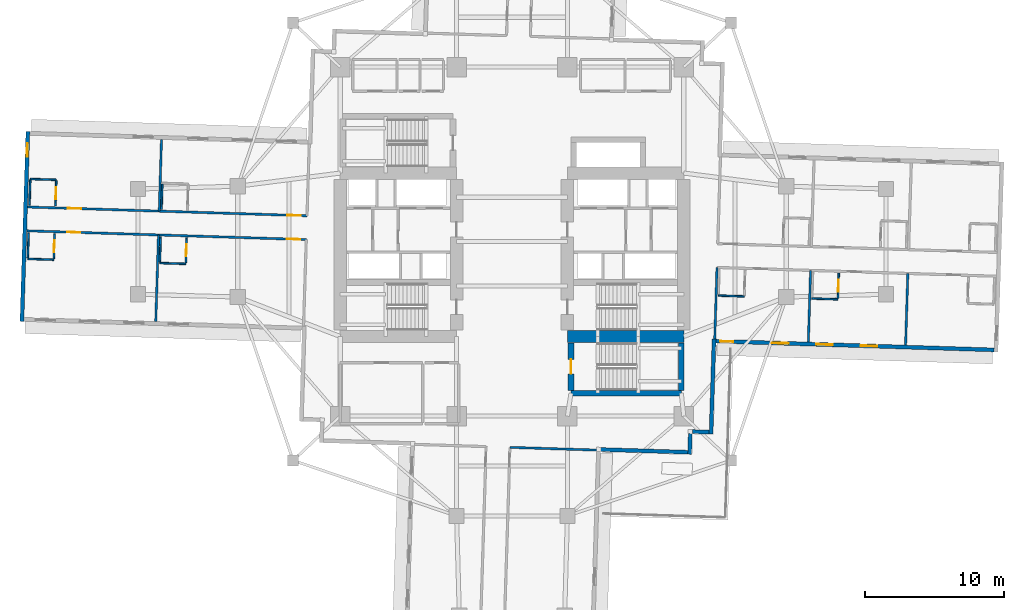
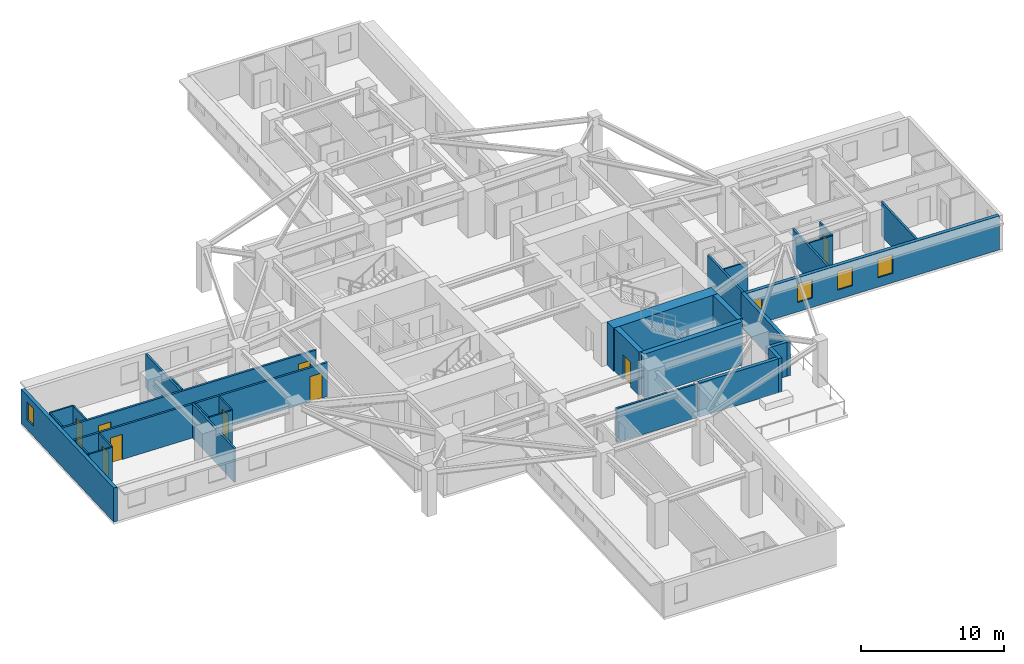
# One storey, part 4 of 13: 31 walls, 10 doors, 4 windows, 14 openings.
"""IFC4 building model written with IfcOpenShell, lengths in metres."""

import ifcopenshell
import ifcopenshell.guid

model = None  # the IFC model being written
_history = None  # IfcOwnerHistory: only IFC2X3 demands one
_inside = {}  # id of a spatial element -> (the spatial element, [elements in it])
_under = {}  # id of a project, library or spatial element -> (it, [spatial elements below it])
_declared = {}  # id of a project -> (the project, [libraries it declares])
_typed = {}  # id of a type object -> (the type object, [elements of that type])
_made_of = {}  # id of a material, layer set ... -> (it, [elements and type objects made of it])


def new_model(schema):
    """Start an empty IFC model of exactly this schema.

    Asked for "IFC4X3", IfcOpenShell would pick the latest addendum, in which some entities
    have other attributes; the version numbers below select the first issue.
    IFC2X3 requires an IfcOwnerHistory on every rooted entity: one is made here for all.
    """
    global model, _history
    if schema == "IFC4X3":
        model = ifcopenshell.file(schema_version=(4, 3, 0, 0))
    else:
        model = ifcopenshell.file(schema=schema)
    _inside.clear()
    _under.clear()
    _declared.clear()
    _typed.clear()
    _made_of.clear()
    _history = None
    if model.schema == "IFC2X3":
        org = make("IfcOrganization", Name="unknown")
        user = make(
            "IfcPersonAndOrganization",
            ThePerson=make("IfcPerson", FamilyName="unknown"),
            TheOrganization=org,
        )
        app = make(
            "IfcApplication",
            ApplicationDeveloper=org,
            Version="unknown",
            ApplicationFullName="unknown",
            ApplicationIdentifier="unknown",
        )
        _history = make(
            "IfcOwnerHistory",
            OwningUser=user,
            OwningApplication=app,
            ChangeAction="ADDED",
            CreationDate=0,
        )
    return model


def make(cls, **values):
    """One entity of the class cls with the attributes given. An attribute that is None is left unset."""
    return model.create_entity(
        cls, **{name: value for name, value in values.items() if value is not None}
    )


def rooted(cls, **values):
    """An entity with a GlobalId (a new one), such as an element, a storey or a relation."""
    return make(cls, GlobalId=ifcopenshell.guid.new(), OwnerHistory=_history, **values)


def si_unit(unit_type, name, prefix=None):
    """IfcSIUnit, for example si_unit("LENGTHUNIT", "METRE", prefix="MILLI")."""
    return make("IfcSIUnit", UnitType=unit_type, Prefix=prefix, Name=name)


def assignment(units):
    """IfcUnitAssignment: the units of a project."""
    return None if units is None else make("IfcUnitAssignment", Units=units)


def point(xyz):
    """IfcCartesianPoint."""
    return None if xyz is None else make("IfcCartesianPoint", Coordinates=xyz)


def direction(xyz):
    """IfcDirection."""
    return None if xyz is None else make("IfcDirection", DirectionRatios=xyz)


def frame(location, z_axis=None, x_axis=None):
    """IfcAxis2Placement3D, a coordinate frame: its origin and axes. An axis left out is left unset."""
    return make(
        "IfcAxis2Placement3D",
        Location=point(location),
        Axis=direction(z_axis),
        RefDirection=direction(x_axis),
    )


def frame_2d(location, x_axis=None):
    """IfcAxis2Placement2D, a coordinate frame in the plane: its origin and x axis."""
    return make(
        "IfcAxis2Placement2D", Location=point(location), RefDirection=direction(x_axis)
    )


def origin():
    """The frame at (0, 0, 0) with its axes left unset."""
    return frame((0.0, 0.0, 0.0))


def place(relative_to, where):
    """IfcLocalPlacement: puts the frame where relative to a parent placement (None: the world)."""
    return make(
        "IfcLocalPlacement", PlacementRelTo=relative_to, RelativePlacement=where
    )


def context(
    kind, dimensions, precision=None, world=None, true_north=None, identifier=None
):
    """IfcGeometricRepresentationContext, for example the 3D "Model" context."""
    return make(
        "IfcGeometricRepresentationContext",
        ContextIdentifier=identifier,
        ContextType=kind,
        CoordinateSpaceDimension=dimensions,
        Precision=precision,
        WorldCoordinateSystem=world,
        TrueNorth=true_north,
    )


def subcontext(parent, identifier, kind, view, scale=None):
    """IfcGeometricRepresentationSubContext, for example "Body" below "Model"."""
    return make(
        "IfcGeometricRepresentationSubContext",
        ContextIdentifier=identifier,
        ContextType=kind,
        ParentContext=parent,
        TargetScale=scale,
        TargetView=view,
    )


def project(units=None, contexts=None):
    """IfcProject with its units and contexts."""
    return rooted(
        "IfcProject",
        Name="project",
        RepresentationContexts=contexts,
        UnitsInContext=assignment(units),
    )


def spatial(cls, under=None, at=None, **own):
    """A site, building, storey or space (cls), placed at a placement, below another one or the project."""
    s = rooted(cls, ObjectPlacement=at, **own)
    if under is not None:
        _under.setdefault(under.id(), (under, []))[1].append(s)
    return s


def profile(cls, at=None, kind="AREA", **sizes):
    """A parametric profile (cls). Its sizes go by their IFC names, for example OverallWidth=200.0."""
    return make(cls, ProfileType=kind, Position=at, **sizes)


def rectangle(**sizes):
    """IfcRectangleProfileDef."""
    return profile("IfcRectangleProfileDef", **sizes)


def extrude(swept, where, along, depth):
    """IfcExtrudedAreaSolid: the profile swept, set in the frame where, extruded along a direction by depth."""
    return make(
        "IfcExtrudedAreaSolid",
        SweptArea=swept,
        Position=where,
        ExtrudedDirection=direction(along),
        Depth=depth,
    )


def shape(context_of_items, identifier, shape_type, items):
    """IfcShapeRepresentation: the items that make up one representation, for example the "Body"."""
    return make(
        "IfcShapeRepresentation",
        ContextOfItems=context_of_items,
        RepresentationIdentifier=identifier,
        RepresentationType=shape_type,
        Items=items,
    )


def material(Name=None, Category=None):
    """IfcMaterial."""
    return make("IfcMaterial", Name=Name, Category=Category)


def layer(
    of_material, thickness, ventilated=None, Name=None, Category=None, Priority=None
):
    """IfcMaterialLayer: one layer of a wall or slab, of a material (None: an air gap)."""
    return make(
        "IfcMaterialLayer",
        Material=of_material,
        LayerThickness=thickness,
        IsVentilated=ventilated,
        Name=Name,
        Category=Category,
        Priority=Priority,
    )


def layer_set(layers, Name=None):
    """IfcMaterialLayerSet."""
    return make("IfcMaterialLayerSet", MaterialLayers=layers, LayerSetName=Name)


def made_of(thing, what):
    """Note that an element or type object is made of a material, layer set ...; save() writes the relation."""
    if what is not None:
        _made_of.setdefault(what.id(), (what, []))[1].append(thing)
    return thing


def type_object(cls, material=None, **own):
    """A type object (cls), such as IfcWallType, which elements share."""
    return made_of(rooted(cls, **own), material)


def element(
    cls,
    number,
    at=None,
    inside=None,
    cuts=None,
    type_object=None,
    material=None,
    context=None,
    identifier="Body",
    shape_type=None,
    held_by="IfcProductDefinitionShape",
    body=None,
    shapes=None,
    **own,
):
    """One element of the class cls, such as IfcWall. Its Tag is "e" and its number.

    at: its placement. inside: the storey or other place that contains it. cuts: it is an
    opening in that element (IfcRelVoidsElement). A single representation is given by context,
    identifier, shape_type and body (its items); several are given by shapes. held_by: the class
    of the entity that holds the representations. save() writes the other relations.
    """
    e = rooted(cls, Tag="e%d" % number, ObjectPlacement=at, **own)
    if body is not None:
        shapes = [shape(context, identifier, shape_type, body)]
    if shapes is not None:
        e.Representation = make(held_by, Representations=shapes)
    if inside is not None:
        _inside.setdefault(inside.id(), (inside, []))[1].append(e)
    if cuts is not None:
        rooted(
            "IfcRelVoidsElement", RelatingBuildingElement=cuts, RelatedOpeningElement=e
        )
    if type_object is not None:
        _typed.setdefault(type_object.id(), (type_object, []))[1].append(e)
    return made_of(e, material)


def fill(opening, filler):
    """IfcRelFillsElement: the door or window that sits in an opening."""
    return rooted(
        "IfcRelFillsElement",
        RelatingOpeningElement=opening,
        RelatedBuildingElement=filler,
    )


def aggregate(whole, parts):
    """IfcRelAggregates: a whole, such as a stair, and the parts it consists of."""
    return rooted("IfcRelAggregates", RelatingObject=whole, RelatedObjects=parts)


def save(model, path):
    """Write the relations noted so far, then the file.

    IfcRelAggregates (storeys below a building ...), IfcRelContainedInSpatialStructure (elements
    in a storey), IfcRelDefinesByType, IfcRelAssociatesMaterial and IfcRelDeclares: one each for
    every whole, place, type object, material and project.
    """
    for whole, parts in _under.values():
        aggregate(whole, parts)
    for where, things in _inside.values():
        rooted(
            "IfcRelContainedInSpatialStructure",
            RelatedElements=things,
            RelatingStructure=where,
        )
    for kind, things in _typed.values():
        rooted("IfcRelDefinesByType", RelatedObjects=things, RelatingType=kind)
    for what, things in _made_of.values():
        rooted("IfcRelAssociatesMaterial", RelatedObjects=things, RelatingMaterial=what)
    for by, libraries in _declared.values():
        rooted("IfcRelDeclares", RelatingContext=by, RelatedDefinitions=libraries)
    model.write(path)


model = new_model("IFC4")

# Units and contexts
model_context = context("Model", 3, precision=1e-05, world=origin(), true_north=direction((0.0, 1.0)))
body_context = subcontext(model_context, "Body", "Model", "MODEL_VIEW")
ifc_project = project(units=[si_unit("LENGTHUNIT", "METRE"), si_unit("AREAUNIT", "SQUARE_METRE"), si_unit("VOLUMEUNIT", "CUBIC_METRE"), si_unit("PLANEANGLEUNIT", "RADIAN"), si_unit("MASSUNIT", "GRAM", prefix="KILO")], contexts=[model_context])

# Site, building, storey
site_placement = place(None, origin())
site = spatial("IfcSite", under=ifc_project, at=site_placement, CompositionType="ELEMENT")
building_placement = place(site_placement, origin())
building = spatial("IfcBuilding", under=site, at=building_placement, Name="Qingluan Cross Belvedere", CompositionType="ELEMENT")
storey_placement = place(building_placement, frame((0.0, 0.0, 71.699951171875)))
storey = spatial("IfcBuildingStorey", under=building, at=storey_placement, Name="L18", CompositionType="ELEMENT", Elevation=71.699951171875)

# Wall
ifc_material_1 = material(Name="Concrete C50", Category="concrete")
ifc_layer_1 = layer(ifc_material_1, 0.449951171875, Name="CoreShearWall_450")
ifc_layer_set_1 = layer_set([ifc_layer_1], Name="Concrete C50")
wall_type_1 = type_object("IfcWallType", Name="CoreShearWall_450", PredefinedType="SHEAR", material=ifc_layer_set_1)
wall_1_placement = place(storey_placement, frame((4.260009765625, -10.93994140625, 0.0), z_axis=(0.0, 0.0, 1.0), x_axis=(1.0, 0.0, 0.0)))
element("IfcWall", 1, at=wall_1_placement, inside=storey, type_object=wall_type_1, Name="Stair ST4 structural wall S L18", PredefinedType="SHEAR", context=body_context, shape_type="SweptSolid", body=[
    extrude(rectangle(XDim=7.9599609375, YDim=0.39990234375, at=frame_2d((3.97998046875, 0.0))), origin(), (0.0, 0.0, 1.0), 3.699951171875),
])

# Wall, opening, door
wall_2_placement = place(storey_placement, frame((4.260009765625, -10.735107421875, 0.0), z_axis=(0.0, 0.0, 1.0), x_axis=(0.0, 1.0, 0.0)))
wall_2 = element("IfcWall", 2, at=wall_2_placement, inside=storey, type_object=wall_type_1, Name="Stair ST4 structural wall W L18", PredefinedType="SHEAR", context=body_context, shape_type="SweptSolid", body=[
    extrude(rectangle(XDim=3.43017578125, YDim=0.39990234375, at=frame_2d((1.715087890625, 0.0))), origin(), (0.0, 0.0, 1.0), 3.699951171875),
])
opening_1_placement = place(wall_2_placement, frame((1.18505859375, 0.0, 0.0)))
opening_1 = element("IfcOpeningElement", 3, at=opening_1_placement, cuts=wall_2, Name="Opening FD-B11", PredefinedType="OPENING", context=body_context, shape_type="SweptSolid", body=[
    extrude(rectangle(XDim=1.050048828125, YDim=2.14990234375, at=frame_2d((0.52490234375, 1.074951171875))), frame((0.0, 0.2099609375, 0.0), z_axis=(0.0, -1.0, 0.0), x_axis=(1.0, 0.0, 0.0)), (0.0, 0.0, 1.0), 0.419921875),
])
ifc_material_2 = material(Name="Steel Class B smoke-seal fire door", Category="steel")
door_type_1 = type_object("IfcDoorType", Name="StairLobbyFireDoor_FDB", OperationType="NOTDEFINED", PredefinedType="DOOR", material=ifc_material_2)
door_1_placement = place(opening_1_placement, origin())
door_1 = element("IfcDoor", 4, at=door_1_placement, inside=storey, type_object=door_type_1, Name="Smoke-proof stair ST4 fire door L18", OperationType="SINGLE_SWING_LEFT", OverallHeight=2.14990234375, OverallWidth=1.050048828125, PredefinedType="DOOR", context=body_context, shape_type="SweptSolid", body=[
    extrude(rectangle(XDim=1.050048828125, YDim=2.14990234375, at=frame_2d((0.52490234375, 1.074951171875))), frame((0.0, 0.02490234375, 0.0), z_axis=(0.0, -1.0, 0.0), x_axis=(1.0, 0.0, 0.0)), (0.0, 0.0, 1.0), 0.050048828125),
])
fill(opening_1, door_1)

# Walls
wall_3_placement = place(storey_placement, frame((12.219970703125, -10.735107421875, 0.0), z_axis=(0.0, 0.0, 1.0), x_axis=(0.0, 1.0, 0.0)))
element("IfcWall", 5, at=wall_3_placement, inside=storey, type_object=wall_type_1, Name="Stair ST4 structural wall E L18", PredefinedType="SHEAR", context=body_context, shape_type="SweptSolid", body=[
    extrude(rectangle(XDim=3.43017578125, YDim=0.39990234375, at=frame_2d((1.715087890625, 0.0))), origin(), (0.0, 0.0, 1.0), 3.699951171875),
])
ifc_material_3 = material(Name="Concrete C70", Category="concrete")
ifc_layer_2 = layer(ifc_material_3, 0.89990234375, Name="CoreShearWall_900")
ifc_layer_set_2 = layer_set([ifc_layer_2], Name="Concrete C70")
wall_type_2 = type_object("IfcWallType", Name="CoreShearWall_900", PredefinedType="SHEAR", material=ifc_layer_set_2)
wall_4_placement = place(storey_placement, frame((4.0, -6.85009765625, 0.0), z_axis=(0.0, 0.0, 1.0), x_axis=(1.0, 0.0, 0.0)))
element("IfcWall", 6, at=wall_4_placement, inside=storey, type_object=wall_type_2, Name="Split core E shear wall L18-S", PredefinedType="SHEAR", context=body_context, shape_type="SweptSolid", body=[
    extrude(rectangle(XDim=8.39990234375, YDim=0.89990234375, at=frame_2d((4.199951171875, 0.0))), origin(), (0.0, 0.0, 1.0), 3.699951171875),
])
ifc_material_4 = material(Name="Gypsum plasterboard on steel stud acoustic partition", Category="steel")
ifc_layer_3 = layer(ifc_material_4, 0.159912109375, Name="CorridorPartition_160")
ifc_layer_set_3 = layer_set([ifc_layer_3], Name="Gypsum plasterboard on steel stud acoustic partition")
wall_type_3 = type_object("IfcWallType", Name="CorridorPartition_160", PredefinedType="PARTITIONING", material=ifc_layer_set_3)
for number, where, z_axis, x_axis, name in (
    (7, (14.798583984375, -1.86572265625, 0.0), (0.0, 0.0, 1.0), (-0.031390964211, -0.999507182248, 0.0), "Partition L18:E:s1"),
    (8, (21.555419921875, -2.078125, 0.0), (0.0, 0.0, 1.0), (-0.031390964211, -0.999507182248, 0.0), "Partition L18:E:d1_0"),
):
    element("IfcWall", number, at=place(storey_placement, frame(where, z_axis=z_axis, x_axis=x_axis)), inside=storey, type_object=wall_type_3, Name=name, PredefinedType="PARTITIONING", context=body_context, shape_type="SweptSolid", body=[
        extrude(rectangle(XDim=5.171875, YDim=0.159912109375, at=frame_2d((2.5859375, 0.0))), origin(), (0.0, 0.0, 1.0), 2.900146484375),
    ])
wall_5_placement = place(storey_placement, frame((28.575927734375, -2.298583984375, 0.0), z_axis=(0.0, 0.0, 1.0), x_axis=(-0.031436638834, -0.999505746726, 0.0)))
element("IfcWall", 9, at=wall_5_placement, inside=storey, type_object=wall_type_3, Name="Partition L18:E:d1_1", PredefinedType="PARTITIONING", context=body_context, shape_type="SweptSolid", body=[
    extrude(rectangle(XDim=5.172119140625, YDim=0.159912109375, at=frame_2d((2.5859375, 0.0))), origin(), (0.0, 0.0, 1.0), 2.900146484375),
])

# Wall, openings, doors
wall_6_placement = place(storey_placement, frame((-14.798583984375, 1.86572265625, 0.0), z_axis=(0.0, 0.0, 1.0), x_axis=(-0.999506406629, 0.031415650687, 0.0)))
wall_6 = element("IfcWall", 10, at=wall_6_placement, inside=storey, type_object=wall_type_3, Name="Partition L18:W:c0", PredefinedType="PARTITIONING", context=body_context, shape_type="SweptSolid", body=[
    extrude(rectangle(XDim=20.18212890625, YDim=0.159912109375, at=frame_2d((10.091064453125, 0.0))), origin(), (0.0, 0.0, 1.0), 2.900146484375),
])
opening_2_placement = place(wall_6_placement, frame((0.449951171875, 0.0, 0.0)))
opening_2 = element("IfcOpeningElement", 11, at=opening_2_placement, cuts=wall_6, Name="Opening GD-10", PredefinedType="OPENING", context=body_context, shape_type="SweptSolid", body=[
    extrude(rectangle(XDim=0.9599609375, YDim=2.14990234375, at=frame_2d((0.47998046875, 1.074951171875))), frame((0.0, 0.08984375, 0.0), z_axis=(0.0, -1.0, 0.0), x_axis=(1.0, 0.0, 0.0)), (0.0, 0.0, 1.0), 0.179931640625),
])
opening_3_placement = place(wall_6_placement, frame((16.31591796875, 0.0, 0.0)))
opening_3 = element("IfcOpeningElement", 12, at=opening_3_placement, cuts=wall_6, Name="Opening GD-10", PredefinedType="OPENING", context=body_context, shape_type="SweptSolid", body=[
    extrude(rectangle(XDim=0.9599609375, YDim=2.14990234375, at=frame_2d((0.47998046875, 1.074951171875))), frame((0.0, 0.08984375, 0.0), z_axis=(0.0, -1.0, 0.0), x_axis=(1.0, 0.0, 0.0)), (0.0, 0.0, 1.0), 0.179931640625),
])
ifc_material_5 = material(Name="Timber oak fire-rated acoustic guestroom door", Category="wood")
door_type_2 = type_object("IfcDoorType", Name="GuestEntryDoor_FD60", OperationType="NOTDEFINED", PredefinedType="DOOR", material=ifc_material_5)
door_2_placement = place(opening_2_placement, origin())
door_2 = element("IfcDoor", 13, at=door_2_placement, inside=storey, type_object=door_type_2, Name="Guest entry fire door 1807", OperationType="SINGLE_SWING_LEFT", OverallHeight=2.14990234375, OverallWidth=0.9599609375, PredefinedType="DOOR", context=body_context, shape_type="SweptSolid", body=[
    extrude(rectangle(XDim=0.9599609375, YDim=2.14990234375, at=frame_2d((0.47998046875, 1.074951171875))), frame((0.0, 0.02490234375, 0.0), z_axis=(0.0, -1.0, 0.0), x_axis=(1.0, 0.0, 0.0)), (0.0, 0.0, 1.0), 0.050048828125),
])
fill(opening_2, door_2)
door_3_placement = place(opening_3_placement, origin())
door_3 = element("IfcDoor", 14, at=door_3_placement, inside=storey, type_object=door_type_2, Name="Guest entry fire door 1808", OperationType="SINGLE_SWING_LEFT", OverallHeight=2.14990234375, OverallWidth=0.9599609375, PredefinedType="DOOR", context=body_context, shape_type="SweptSolid", body=[
    extrude(rectangle(XDim=0.9599609375, YDim=2.14990234375, at=frame_2d((0.47998046875, 1.074951171875))), frame((0.0, 0.02490234375, 0.0), z_axis=(0.0, -1.0, 0.0), x_axis=(1.0, 0.0, 0.0)), (0.0, 0.0, 1.0), 0.050048828125),
])
fill(opening_3, door_3)

# Wall
wall_7_placement = place(storey_placement, frame((-25.46630859375, 2.200927734375, 0.0), z_axis=(0.0, 0.0, 1.0), x_axis=(0.031390964211, 0.999507182248, 0.0)))
element("IfcWall", 15, at=wall_7_placement, inside=storey, type_object=wall_type_3, Name="Partition L18:W:d0_0", PredefinedType="PARTITIONING", context=body_context, shape_type="SweptSolid", body=[
    extrude(rectangle(XDim=5.171875, YDim=0.159912109375, at=frame_2d((2.5859375, 0.0))), origin(), (0.0, 0.0, 1.0), 2.900146484375),
])

# Wall, openings, doors
wall_8_placement = place(storey_placement, frame((-14.852783203125, 0.146484375, 0.0), z_axis=(0.0, 0.0, 1.0), x_axis=(-0.999506406629, 0.031415650687, 0.0)))
wall_8 = element("IfcWall", 16, at=wall_8_placement, inside=storey, type_object=wall_type_3, Name="Partition L18:W:c1", PredefinedType="PARTITIONING", context=body_context, shape_type="SweptSolid", body=[
    extrude(rectangle(XDim=20.18212890625, YDim=0.159912109375, at=frame_2d((10.091064453125, 0.0))), origin(), (0.0, 0.0, 1.0), 2.900146484375),
])
opening_4_placement = place(wall_8_placement, frame((0.449951171875, 0.0, 0.0)))
opening_4 = element("IfcOpeningElement", 17, at=opening_4_placement, cuts=wall_8, Name="Opening GD-10", PredefinedType="OPENING", context=body_context, shape_type="SweptSolid", body=[
    extrude(rectangle(XDim=0.9599609375, YDim=2.14990234375, at=frame_2d((0.47998046875, 1.074951171875))), frame((0.0, 0.08984375, 0.0), z_axis=(0.0, -1.0, 0.0), x_axis=(1.0, 0.0, 0.0)), (0.0, 0.0, 1.0), 0.179931640625),
])
opening_5_placement = place(wall_8_placement, frame((16.31591796875, 0.0, 0.0)))
opening_5 = element("IfcOpeningElement", 18, at=opening_5_placement, cuts=wall_8, Name="Opening GD-10", PredefinedType="OPENING", context=body_context, shape_type="SweptSolid", body=[
    extrude(rectangle(XDim=0.9599609375, YDim=2.14990234375, at=frame_2d((0.47998046875, 1.074951171875))), frame((0.0, 0.08984375, 0.0), z_axis=(0.0, -1.0, 0.0), x_axis=(1.0, 0.0, 0.0)), (0.0, 0.0, 1.0), 0.179931640625),
])
door_4_placement = place(opening_4_placement, origin())
door_4 = element("IfcDoor", 19, at=door_4_placement, inside=storey, type_object=door_type_2, Name="Guest entry fire door 1809", OperationType="SINGLE_SWING_LEFT", OverallHeight=2.14990234375, OverallWidth=0.9599609375, PredefinedType="DOOR", context=body_context, shape_type="SweptSolid", body=[
    extrude(rectangle(XDim=0.9599609375, YDim=2.14990234375, at=frame_2d((0.47998046875, 1.074951171875))), frame((0.0, 0.02490234375, 0.0), z_axis=(0.0, -1.0, 0.0), x_axis=(1.0, 0.0, 0.0)), (0.0, 0.0, 1.0), 0.050048828125),
])
fill(opening_4, door_4)
door_5_placement = place(opening_5_placement, origin())
door_5 = element("IfcDoor", 20, at=door_5_placement, inside=storey, type_object=door_type_2, Name="Guest entry fire door 1810", OperationType="SINGLE_SWING_LEFT", OverallHeight=2.14990234375, OverallWidth=0.9599609375, PredefinedType="DOOR", context=body_context, shape_type="SweptSolid", body=[
    extrude(rectangle(XDim=0.9599609375, YDim=2.14990234375, at=frame_2d((0.47998046875, 1.074951171875))), frame((0.0, 0.02490234375, 0.0), z_axis=(0.0, -1.0, 0.0), x_axis=(1.0, 0.0, 0.0)), (0.0, 0.0, 1.0), 0.050048828125),
])
fill(opening_5, door_5)

# Walls
wall_9_placement = place(storey_placement, frame((-25.5205078125, 0.48193359375, 0.0), z_axis=(0.0, 0.0, 1.0), x_axis=(-0.031395673371, -0.999507034339, 0.0)))
element("IfcWall", 21, at=wall_9_placement, inside=storey, type_object=wall_type_3, Name="Partition L18:W:d1_0", PredefinedType="PARTITIONING", context=body_context, shape_type="SweptSolid", body=[
    extrude(rectangle(XDim=6.252197265625, YDim=0.159912109375, at=frame_2d((3.1259765625, 0.0))), origin(), (0.0, 0.0, 1.0), 2.900146484375),
])
wall_10_placement = place(storey_placement, frame((-0.146484375, -14.852783203125, 0.0), z_axis=(0.0, 0.0, 1.0), x_axis=(0.999507038829, -0.031395530436, 0.0)))
element("IfcWall", 22, at=wall_10_placement, inside=storey, type_object=wall_type_3, Name="Partition L18:S:s0", PredefinedType="PARTITIONING", context=body_context, shape_type="SweptSolid", body=[
    extrude(rectangle(XDim=6.39990234375, YDim=0.159912109375, at=frame_2d((3.199951171875, 0.0))), origin(), (0.0, 0.0, 1.0), 2.900146484375),
])
ifc_material_6 = material(Name="Moisture-resistant gypsum board lining")
ifc_layer_4 = layer(ifc_material_6, 0.1201171875, Name="EnsuiteWetPartition_120")
ifc_layer_set_4 = layer_set([ifc_layer_4], Name="Moisture-resistant gypsum board lining")
wall_type_4 = type_object("IfcWallType", Name="EnsuiteWetPartition_120", PredefinedType="PARTITIONING", material=ifc_layer_set_4)
wall_11_placement = place(storey_placement, frame((14.89501953125, -3.894775390625, 0.0), z_axis=(0.0, 0.0, 1.0), x_axis=(0.999506103526, -0.031425292588, 0.0)))
element("IfcWall", 23, at=wall_11_placement, inside=storey, type_object=wall_type_4, Name="Partition L18:E:bc1_0", PredefinedType="PARTITIONING", context=body_context, shape_type="SweptSolid", body=[
    extrude(rectangle(XDim=1.880126953125, YDim=0.1201171875, at=frame_2d((0.93994140625, 0.0))), origin(), (0.0, 0.0, 1.0), 2.900146484375),
])

# Wall, opening, door
wall_12_placement = place(storey_placement, frame((23.53271484375, -4.101318359375, 0.0), z_axis=(0.0, 0.0, 1.0), x_axis=(0.031519489708, 0.999503137448, 0.0)))
wall_12 = element("IfcWall", 24, at=wall_12_placement, inside=storey, type_object=wall_type_4, Name="Partition L18:E:bs1_1", PredefinedType="PARTITIONING", context=body_context, shape_type="SweptSolid", body=[
    extrude(rectangle(XDim=1.8203125, YDim=0.1201171875, at=frame_2d((0.91015625, 0.0))), origin(), (0.0, 0.0, 1.0), 2.900146484375),
])
opening_6_placement = place(wall_12_placement, frame((0.469970703125, 0.0, 0.0)))
opening_6 = element("IfcOpeningElement", 25, at=opening_6_placement, cuts=wall_12, Name="Opening BD-09", PredefinedType="OPENING", context=body_context, shape_type="SweptSolid", body=[
    extrude(rectangle(XDim=0.8798828125, YDim=2.10009765625, at=frame_2d((0.43994140625, 1.050048828125))), frame((0.0, 0.070068359375, 0.0), z_axis=(0.0, -1.0, 0.0), x_axis=(1.0, 0.0, 0.0)), (0.0, 0.0, 1.0), 0.14013671875),
])
ifc_material_7 = material(Name="Moisture-sealed timber en-suite door", Category="wood")
door_type_3 = type_object("IfcDoorType", Name="BathroomDoor_880", OperationType="NOTDEFINED", PredefinedType="DOOR", material=ifc_material_7)
door_6_placement = place(opening_6_placement, origin())
door_6 = element("IfcDoor", 26, at=door_6_placement, inside=storey, type_object=door_type_3, Name="Bathroom door 1805", OperationType="SINGLE_SWING_RIGHT", OverallHeight=2.10009765625, OverallWidth=0.8798828125, PredefinedType="DOOR", context=body_context, shape_type="SweptSolid", body=[
    extrude(rectangle(XDim=0.8798828125, YDim=2.10009765625, at=frame_2d((0.43994140625, 1.050048828125))), frame((0.0, 0.02490234375, 0.0), z_axis=(0.0, -1.0, 0.0), x_axis=(1.0, 0.0, 0.0)), (0.0, 0.0, 1.0), 0.050048828125),
])
fill(opening_6, door_6)

# Walls
wall_13_placement = place(storey_placement, frame((21.651611328125, -4.107177734375, 0.0), z_axis=(0.0, 0.0, 1.0), x_axis=(0.999506103526, -0.031425292588, 0.0)))
element("IfcWall", 27, at=wall_13_placement, inside=storey, type_object=wall_type_4, Name="Partition L18:E:bc1_1", PredefinedType="PARTITIONING", context=body_context, shape_type="SweptSolid", body=[
    extrude(rectangle(XDim=1.880126953125, YDim=0.1201171875, at=frame_2d((0.93994140625, 0.0))), origin(), (0.0, 0.0, 1.0), 2.900146484375),
])
wall_14_placement = place(storey_placement, frame((-25.302001953125, 2.3359375, 0.0), z_axis=(0.0, 0.0, 1.0), x_axis=(0.031389704724, 0.999507221803, 0.0)))
element("IfcWall", 28, at=wall_14_placement, inside=storey, type_object=wall_type_4, Name="Partition L18:W:bw0_0", PredefinedType="PARTITIONING", context=body_context, shape_type="SweptSolid", body=[
    extrude(rectangle(XDim=1.820068359375, YDim=0.1201171875, at=frame_2d((0.91015625, 0.0))), origin(), (0.0, 0.0, 1.0), 2.900146484375),
])

# Wall, opening, door
wall_15_placement = place(storey_placement, frame((-32.955322265625, 2.576416015625, 0.0), z_axis=(0.0, 0.0, 1.0), x_axis=(0.031389704724, 0.999507221803, 0.0)))
wall_15 = element("IfcWall", 29, at=wall_15_placement, inside=storey, type_object=wall_type_4, Name="Partition L18:W:bs0_1", PredefinedType="PARTITIONING", context=body_context, shape_type="SweptSolid", body=[
    extrude(rectangle(XDim=1.820068359375, YDim=0.1201171875, at=frame_2d((0.91015625, 0.0))), origin(), (0.0, 0.0, 1.0), 2.900146484375),
])
opening_7_placement = place(wall_15_placement, frame((0.469970703125, 0.0, 0.0)))
opening_7 = element("IfcOpeningElement", 30, at=opening_7_placement, cuts=wall_15, Name="Opening BD-09", PredefinedType="OPENING", context=body_context, shape_type="SweptSolid", body=[
    extrude(rectangle(XDim=0.8798828125, YDim=2.10009765625, at=frame_2d((0.43994140625, 1.050048828125))), frame((0.0, 0.070068359375, 0.0), z_axis=(0.0, -1.0, 0.0), x_axis=(1.0, 0.0, 0.0)), (0.0, 0.0, 1.0), 0.14013671875),
])
door_7_placement = place(opening_7_placement, origin())
door_7 = element("IfcDoor", 31, at=door_7_placement, inside=storey, type_object=door_type_3, Name="Bathroom door 1808", OperationType="SINGLE_SWING_RIGHT", OverallHeight=2.10009765625, OverallWidth=0.8798828125, PredefinedType="DOOR", context=body_context, shape_type="SweptSolid", body=[
    extrude(rectangle(XDim=0.8798828125, YDim=2.10009765625, at=frame_2d((0.43994140625, 1.050048828125))), frame((0.0, 0.02490234375, 0.0), z_axis=(0.0, -1.0, 0.0), x_axis=(1.0, 0.0, 0.0)), (0.0, 0.0, 1.0), 0.050048828125),
])
fill(opening_7, door_7)

# Walls
wall_16_placement = place(storey_placement, frame((-34.83447265625, 2.635498046875, 0.0), z_axis=(0.0, 0.0, 1.0), x_axis=(0.03152371574, 0.999503004171, 0.0)))
element("IfcWall", 32, at=wall_16_placement, inside=storey, type_object=wall_type_4, Name="Partition L18:W:bw0_1", PredefinedType="PARTITIONING", context=body_context, shape_type="SweptSolid", body=[
    extrude(rectangle(XDim=1.820068359375, YDim=0.1201171875, at=frame_2d((0.91015625, 0.0))), origin(), (0.0, 0.0, 1.0), 2.900146484375),
])
wall_17_placement = place(storey_placement, frame((-32.89599609375, 4.46044921875, 0.0), z_axis=(0.0, 0.0, 1.0), x_axis=(-0.999506103526, 0.031425292588, 0.0)))
element("IfcWall", 33, at=wall_17_placement, inside=storey, type_object=wall_type_4, Name="Partition L18:W:bn0_1", PredefinedType="PARTITIONING", context=body_context, shape_type="SweptSolid", body=[
    extrude(rectangle(XDim=1.880126953125, YDim=0.1201171875, at=frame_2d((0.93994140625, 0.0))), origin(), (0.0, 0.0, 1.0), 2.900146484375),
])

# Wall, opening, door
wall_18_placement = place(storey_placement, frame((-23.54296875, -1.541259765625, 0.0), z_axis=(0.0, 0.0, 1.0), x_axis=(0.031389704724, 0.999507221803, 0.0)))
wall_18 = element("IfcWall", 34, at=wall_18_placement, inside=storey, type_object=wall_type_4, Name="Partition L18:W:bs1_0", PredefinedType="PARTITIONING", context=body_context, shape_type="SweptSolid", body=[
    extrude(rectangle(XDim=1.820068359375, YDim=0.1201171875, at=frame_2d((0.91015625, 0.0))), origin(), (0.0, 0.0, 1.0), 2.900146484375),
])
opening_8_placement = place(wall_18_placement, frame((0.469970703125, 0.0, 0.0)))
opening_8 = element("IfcOpeningElement", 35, at=opening_8_placement, cuts=wall_18, Name="Opening BD-09", PredefinedType="OPENING", context=body_context, shape_type="SweptSolid", body=[
    extrude(rectangle(XDim=0.8798828125, YDim=2.10009765625, at=frame_2d((0.43994140625, 1.050048828125))), frame((0.0, 0.070068359375, 0.0), z_axis=(0.0, -1.0, 0.0), x_axis=(1.0, 0.0, 0.0)), (0.0, 0.0, 1.0), 0.14013671875),
])
door_8_placement = place(opening_8_placement, origin())
door_8 = element("IfcDoor", 36, at=door_8_placement, inside=storey, type_object=door_type_3, Name="Bathroom door 1809", OperationType="SINGLE_SWING_RIGHT", OverallHeight=2.10009765625, OverallWidth=0.8798828125, PredefinedType="DOOR", context=body_context, shape_type="SweptSolid", body=[
    extrude(rectangle(XDim=0.8798828125, YDim=2.10009765625, at=frame_2d((0.43994140625, 1.050048828125))), frame((0.0, 0.02490234375, 0.0), z_axis=(0.0, -1.0, 0.0), x_axis=(1.0, 0.0, 0.0)), (0.0, 0.0, 1.0), 0.050048828125),
])
fill(opening_8, door_8)

# Walls
wall_19_placement = place(storey_placement, frame((-25.422119140625, -1.482177734375, 0.0), z_axis=(0.0, 0.0, 1.0), x_axis=(0.031389704724, 0.999507221803, 0.0)))
element("IfcWall", 37, at=wall_19_placement, inside=storey, type_object=wall_type_4, Name="Partition L18:W:bw1_0", PredefinedType="PARTITIONING", context=body_context, shape_type="SweptSolid", body=[
    extrude(rectangle(XDim=1.820068359375, YDim=0.1201171875, at=frame_2d((0.91015625, 0.0))), origin(), (0.0, 0.0, 1.0), 2.900146484375),
])
wall_20_placement = place(storey_placement, frame((-23.545166015625, -1.606201171875, 0.0), z_axis=(0.0, 0.0, 1.0), x_axis=(-0.999505975261, 0.031429371883, 0.0)))
element("IfcWall", 38, at=wall_20_placement, inside=storey, type_object=wall_type_4, Name="Partition L18:W:bc1_0", PredefinedType="PARTITIONING", context=body_context, shape_type="SweptSolid", body=[
    extrude(rectangle(XDim=1.8798828125, YDim=0.1201171875, at=frame_2d((0.93994140625, 0.0))), origin(), (0.0, 0.0, 1.0), 2.900146484375),
])

# Wall, opening, door
wall_21_placement = place(storey_placement, frame((-33.0751953125, -1.24169921875, 0.0), z_axis=(0.0, 0.0, 1.0), x_axis=(0.031255692016, 0.999511421504, 0.0)))
wall_21 = element("IfcWall", 39, at=wall_21_placement, inside=storey, type_object=wall_type_4, Name="Partition L18:W:bs1_1", PredefinedType="PARTITIONING", context=body_context, shape_type="SweptSolid", body=[
    extrude(rectangle(XDim=1.820068359375, YDim=0.1201171875, at=frame_2d((0.91015625, 0.0))), origin(), (0.0, 0.0, 1.0), 2.900146484375),
])
opening_9_placement = place(wall_21_placement, frame((0.469970703125, 0.0, 0.0)))
opening_9 = element("IfcOpeningElement", 40, at=opening_9_placement, cuts=wall_21, Name="Opening BD-09", PredefinedType="OPENING", context=body_context, shape_type="SweptSolid", body=[
    extrude(rectangle(XDim=0.8798828125, YDim=2.10009765625, at=frame_2d((0.43994140625, 1.050048828125))), frame((0.0, 0.070068359375, 0.0), z_axis=(0.0, -1.0, 0.0), x_axis=(1.0, 0.0, 0.0)), (0.0, 0.0, 1.0), 0.14013671875),
])
door_9_placement = place(opening_9_placement, origin())
door_9 = element("IfcDoor", 41, at=door_9_placement, inside=storey, type_object=door_type_3, Name="Bathroom door 1810", OperationType="SINGLE_SWING_RIGHT", OverallHeight=2.10009765625, OverallWidth=0.8798828125, PredefinedType="DOOR", context=body_context, shape_type="SweptSolid", body=[
    extrude(rectangle(XDim=0.8798828125, YDim=2.10009765625, at=frame_2d((0.43994140625, 1.050048828125))), frame((0.0, 0.02490234375, 0.0), z_axis=(0.0, -1.0, 0.0), x_axis=(1.0, 0.0, 0.0)), (0.0, 0.0, 1.0), 0.050048828125),
])
fill(opening_9, door_9)

# Walls
wall_22_placement = place(storey_placement, frame((-34.954345703125, -1.1826171875, 0.0), z_axis=(0.0, 0.0, 1.0), x_axis=(0.031389704724, 0.999507221803, 0.0)))
element("IfcWall", 42, at=wall_22_placement, inside=storey, type_object=wall_type_4, Name="Partition L18:W:bw1_1", PredefinedType="PARTITIONING", context=body_context, shape_type="SweptSolid", body=[
    extrude(rectangle(XDim=1.820068359375, YDim=0.1201171875, at=frame_2d((0.91015625, 0.0))), origin(), (0.0, 0.0, 1.0), 2.900146484375),
])
wall_23_placement = place(storey_placement, frame((-33.077392578125, -1.306640625, 0.0), z_axis=(0.0, 0.0, 1.0), x_axis=(-0.999505975261, 0.031429371883, 0.0)))
element("IfcWall", 43, at=wall_23_placement, inside=storey, type_object=wall_type_4, Name="Partition L18:W:bc1_1", PredefinedType="PARTITIONING", context=body_context, shape_type="SweptSolid", body=[
    extrude(rectangle(XDim=1.8798828125, YDim=0.1201171875, at=frame_2d((0.93994140625, 0.0))), origin(), (0.0, 0.0, 1.0), 2.900146484375),
])

# Wall, openings, windows, door
ifc_material_8 = material(Name="Precast concrete C45", Category="concrete")
ifc_layer_5 = layer(ifc_material_8, 0.280029296875, Name="PrecastFacadeWall_280")
ifc_layer_set_5 = layer_set([ifc_layer_5], Name="Precast concrete C45")
wall_type_5 = type_object("IfcWallType", Name="PrecastFacadeWall_280", PredefinedType="STANDARD", material=ifc_layer_set_5)
wall_24_placement = place(storey_placement, frame((14.721435546875, -7.18603515625, 0.0), z_axis=(0.0, 0.0, 1.0), x_axis=(0.999506574096, -0.031410322165, 0.0)))
wall_24 = element("IfcWall", 44, at=wall_24_placement, inside=storey, type_object=wall_type_5, Name="Facade wall L18-EA", PredefinedType="STANDARD", context=body_context, shape_type="SweptSolid", body=[
    extrude(rectangle(XDim=20.10009765625, YDim=0.280029296875, at=frame_2d((10.050048828125, 0.0))), origin(), (0.0, 0.0, 1.0), 2.91015625),
])
opening_10_placement = place(wall_24_placement, frame((4.050048828125, 0.0, 0.800048828125)))
opening_10 = element("IfcOpeningElement", 45, at=opening_10_placement, cuts=wall_24, Name="Opening W-02", PredefinedType="OPENING", context=body_context, shape_type="SweptSolid", body=[
    extrude(rectangle(XDim=1.199951171875, YDim=1.60009765625, at=frame_2d((0.60009765625, 0.800048828125))), frame((0.0, 0.14990234375, 0.0), z_axis=(0.0, -1.0, 0.0), x_axis=(1.0, 0.0, 0.0)), (0.0, 0.0, 1.0), 0.300048828125),
])
opening_11_placement = place(wall_24_placement, frame((7.25, 0.0, 0.800048828125)))
opening_11 = element("IfcOpeningElement", 46, at=opening_11_placement, cuts=wall_24, Name="Opening W-02", PredefinedType="OPENING", context=body_context, shape_type="SweptSolid", body=[
    extrude(rectangle(XDim=1.199951171875, YDim=1.60009765625, at=frame_2d((0.60009765625, 0.800048828125))), frame((0.0, 0.14990234375, 0.0), z_axis=(0.0, -1.0, 0.0), x_axis=(1.0, 0.0, 0.0)), (0.0, 0.0, 1.0), 0.300048828125),
])
opening_12_placement = place(wall_24_placement, frame((10.449951171875, 0.0, 0.800048828125)))
opening_12 = element("IfcOpeningElement", 47, at=opening_12_placement, cuts=wall_24, Name="Opening W-02", PredefinedType="OPENING", context=body_context, shape_type="SweptSolid", body=[
    extrude(rectangle(XDim=1.199951171875, YDim=1.60009765625, at=frame_2d((0.60009765625, 0.800048828125))), frame((0.0, 0.14990234375, 0.0), z_axis=(0.0, -1.0, 0.0), x_axis=(1.0, 0.0, 0.0)), (0.0, 0.0, 1.0), 0.300048828125),
])
opening_13_placement = place(wall_24_placement, frame((0.300048828125, 0.0, 0.0)))
opening_13 = element("IfcOpeningElement", 48, at=opening_13_placement, cuts=wall_24, Name="Opening WD-10", PredefinedType="OPENING", context=body_context, shape_type="SweptSolid", body=[
    extrude(rectangle(XDim=0.9599609375, YDim=2.10009765625, at=frame_2d((0.47998046875, 1.050048828125))), frame((0.0, 0.14990234375, 0.0), z_axis=(0.0, -1.0, 0.0), x_axis=(1.0, 0.0, 0.0)), (0.0, 0.0, 1.0), 0.300048828125),
])
ifc_material_9 = material(Name="Thermally broken triple Low-E glass in aluminium frame", Category="aluminium")
window_type_1 = type_object("IfcWindowType", Name="TriRibbonWin_1200x1600", PartitioningType="SINGLE_PANEL", PredefinedType="WINDOW", material=ifc_material_9)
window_1_placement = place(opening_10_placement, origin())
window_1 = element("IfcWindow", 49, at=window_1_placement, inside=storey, type_object=window_type_1, Name="Ribbon window L18-EA-2", OverallHeight=1.60009765625, OverallWidth=1.199951171875, PartitioningType="SINGLE_PANEL", PredefinedType="WINDOW", context=body_context, shape_type="SweptSolid", body=[
    extrude(rectangle(XDim=1.199951171875, YDim=1.60009765625, at=frame_2d((0.60009765625, 0.800048828125))), frame((0.0, 0.030029296875, 0.0), z_axis=(0.0, -1.0, 0.0), x_axis=(1.0, 0.0, 0.0)), (0.0, 0.0, 1.0), 0.06005859375),
])
fill(opening_10, window_1)
window_2_placement = place(opening_11_placement, origin())
window_2 = element("IfcWindow", 50, at=window_2_placement, inside=storey, type_object=window_type_1, Name="Ribbon window L18-EA-3", OverallHeight=1.60009765625, OverallWidth=1.199951171875, PartitioningType="SINGLE_PANEL", PredefinedType="WINDOW", context=body_context, shape_type="SweptSolid", body=[
    extrude(rectangle(XDim=1.199951171875, YDim=1.60009765625, at=frame_2d((0.60009765625, 0.800048828125))), frame((0.0, 0.030029296875, 0.0), z_axis=(0.0, -1.0, 0.0), x_axis=(1.0, 0.0, 0.0)), (0.0, 0.0, 1.0), 0.06005859375),
])
fill(opening_11, window_2)
window_3_placement = place(opening_12_placement, origin())
window_3 = element("IfcWindow", 51, at=window_3_placement, inside=storey, type_object=window_type_1, Name="Ribbon window L18-EA-4", OverallHeight=1.60009765625, OverallWidth=1.199951171875, PartitioningType="SINGLE_PANEL", PredefinedType="WINDOW", context=body_context, shape_type="SweptSolid", body=[
    extrude(rectangle(XDim=1.199951171875, YDim=1.60009765625, at=frame_2d((0.60009765625, 0.800048828125))), frame((0.0, 0.030029296875, 0.0), z_axis=(0.0, -1.0, 0.0), x_axis=(1.0, 0.0, 0.0)), (0.0, 0.0, 1.0), 0.06005859375),
])
fill(opening_12, window_3)
ifc_material_10 = material(Name="Thermally broken aluminium and Low-E glass", Category="aluminium")
door_type_4 = type_object("IfcDoorType", Name="WinterGardenDoor_096", OperationType="NOTDEFINED", PredefinedType="DOOR", material=ifc_material_10)
door_10_placement = place(opening_13_placement, origin())
door_10 = element("IfcDoor", 52, at=door_10_placement, inside=storey, type_object=door_type_4, Name="Outdoor terrace access door L18-spi", OperationType="SINGLE_SWING_RIGHT", OverallHeight=2.10009765625, OverallWidth=0.9599609375, PredefinedType="DOOR", context=body_context, shape_type="SweptSolid", body=[
    extrude(rectangle(XDim=0.9599609375, YDim=2.10009765625, at=frame_2d((0.47998046875, 1.050048828125))), frame((0.0, 0.02490234375, 0.0), z_axis=(0.0, -1.0, 0.0), x_axis=(1.0, 0.0, 0.0)), (0.0, 0.0, 1.0), 0.050048828125),
])
fill(opening_13, door_10)

# Wall, opening, window
wall_25_placement = place(storey_placement, frame((-34.947265625, 7.961669921875, 0.0), z_axis=(0.0, 0.0, 1.0), x_axis=(-0.031406966164, -0.999506679556, 0.0)))
wall_25 = element("IfcWall", 53, at=wall_25_placement, inside=storey, type_object=wall_type_5, Name="Arm tip precast facade wall L18-W", PredefinedType="STANDARD", context=body_context, shape_type="SweptSolid", body=[
    extrude(rectangle(XDim=13.72021484375, YDim=0.280029296875, at=frame_2d((6.860107421875, 0.0))), origin(), (0.0, 0.0, 1.0), 2.91015625),
])
opening_14_placement = place(wall_25_placement, frame((0.85009765625, 0.0, 0.85009765625)))
opening_14 = element("IfcOpeningElement", 54, at=opening_14_placement, cuts=wall_25, Name="Opening W-03", PredefinedType="OPENING", context=body_context, shape_type="SweptSolid", body=[
    extrude(rectangle(XDim=1.0, YDim=1.5, at=frame_2d((0.5, 0.75))), frame((0.0, 0.14990234375, 0.0), z_axis=(0.0, -1.0, 0.0), x_axis=(1.0, 0.0, 0.0)), (0.0, 0.0, 1.0), 0.300048828125),
])
ifc_material_11 = material(Name="Thermally broken triple Low-E glass in aluminium frame", Category="aluminium")
window_type_2 = type_object("IfcWindowType", Name="TriApexWin_1000x1500", PartitioningType="SINGLE_PANEL", PredefinedType="WINDOW", material=ifc_material_11)
window_4_placement = place(opening_14_placement, origin())
window_4 = element("IfcWindow", 55, at=window_4_placement, inside=storey, type_object=window_type_2, Name="Arm tip triangular window L18-W", OverallHeight=1.5, OverallWidth=1.0, PartitioningType="SINGLE_PANEL", PredefinedType="WINDOW", context=body_context, shape_type="SweptSolid", body=[
    extrude(rectangle(XDim=1.0, YDim=1.5, at=frame_2d((0.5, 0.75))), frame((0.0, 0.030029296875, 0.0), z_axis=(0.0, -1.0, 0.0), x_axis=(1.0, 0.0, 0.0)), (0.0, 0.0, 1.0), 0.06005859375),
])
fill(opening_14, window_4)

# Walls
wall_26_placement = place(storey_placement, frame((14.5859375, -7.04150390625, 0.0), z_axis=(0.0, 0.0, 1.0), x_axis=(-0.031389189386, -0.999507237988, 0.0)))
element("IfcWall", 56, at=wall_26_placement, inside=storey, type_object=wall_type_5, Name="Corner wall L18-SE1", PredefinedType="STANDARD", context=body_context, shape_type="SweptSolid", body=[
    extrude(rectangle(XDim=6.860107421875, YDim=0.280029296875, at=frame_2d((3.43017578125, 0.0))), origin(), (0.0, 0.0, 1.0), 2.91015625),
])
wall_27_placement = place(storey_placement, frame((14.235107421875, -13.75390625, 0.0), z_axis=(0.0, 0.0, 1.0), x_axis=(-0.999506398264, 0.031415916822, 0.0)))
element("IfcWall", 57, at=wall_27_placement, inside=storey, type_object=wall_type_5, Name="Corner wall L18-SE2", PredefinedType="STANDARD", context=body_context, shape_type="SweptSolid", body=[
    extrude(rectangle(XDim=1.219970703125, YDim=0.280029296875, at=frame_2d((0.60986328125, 0.0))), origin(), (0.0, 0.0, 1.0), 2.91015625),
])
wall_28_placement = place(storey_placement, frame((12.871337890625, -13.85107421875, 0.0), z_axis=(0.0, 0.0, 1.0), x_axis=(-0.031412596484, -0.999506502621, 0.0)))
element("IfcWall", 58, at=wall_28_placement, inside=storey, type_object=wall_type_5, Name="Corner wall L18-SE3", PredefinedType="STANDARD", context=body_context, shape_type="SweptSolid", body=[
    extrude(rectangle(XDim=1.5, YDim=0.280029296875, at=frame_2d((0.75, 0.0))), origin(), (0.0, 0.0, 1.0), 2.91015625),
])
wall_29_placement = place(storey_placement, frame((12.688720703125, -15.2060546875, 0.0), z_axis=(0.0, 0.0, 1.0), x_axis=(-0.999507262922, 0.031388395416, 0.0)))
element("IfcWall", 59, at=wall_29_placement, inside=storey, type_object=wall_type_5, Name="Corner wall L18-SE4", PredefinedType="STANDARD", context=body_context, shape_type="SweptSolid", body=[
    extrude(rectangle(XDim=6.30029296875, YDim=0.280029296875, at=frame_2d((3.150146484375, 0.0))), origin(), (0.0, 0.0, 1.0), 2.91015625),
])

save(model, "model.ifc")
